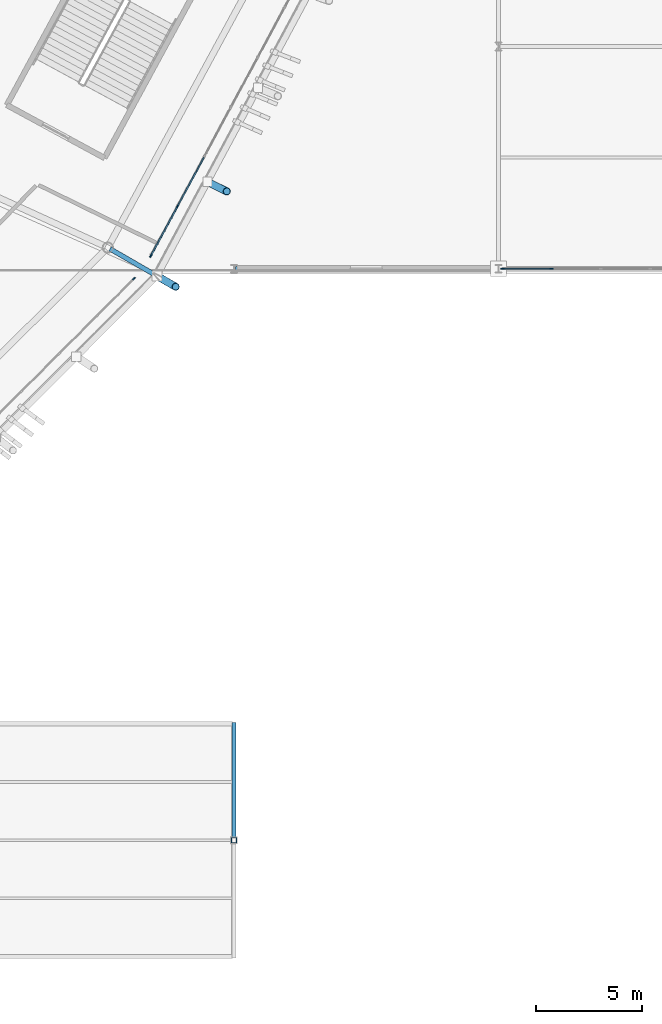
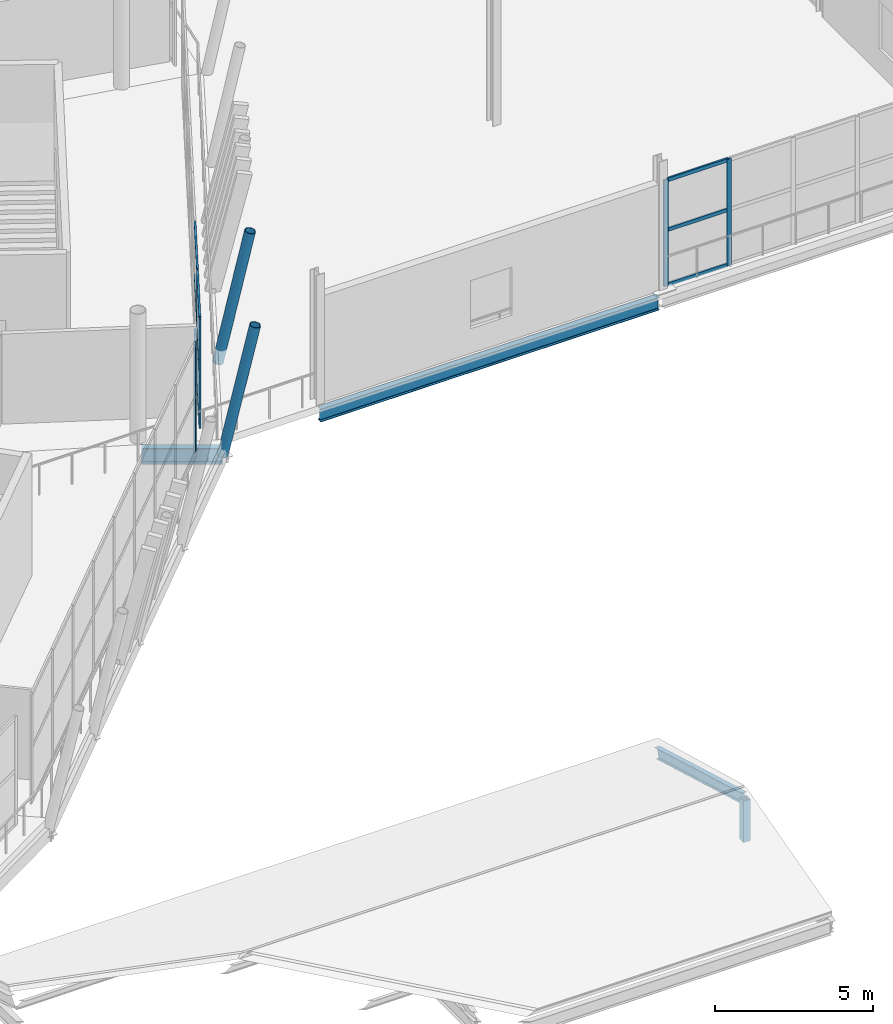
# One storey, part 59 of 179: 18 members, 2 beams, 3 elements without a shape of their own.
"""IFC4 building model written with IfcOpenShell, lengths in metres."""

from ifc_helpers import new_model, si_unit, direction, frame, origin, origin_2d, place, context, subcontext, project, spatial, rectangle, hollow_rectangle, hollow_circle, i_section, extrude, material, material_profile, profile_set, type_object, element, aggregate, save


model = new_model("IFC4")

# Units and contexts
model_context = context("Model", 3, precision=1e-05, world=origin(), true_north=direction((0.0, 1.0)))
body_context = subcontext(model_context, "Body", "Model", "MODEL_VIEW")
ifc_project = project(units=[si_unit("LENGTHUNIT", "METRE"), si_unit("AREAUNIT", "SQUARE_METRE"), si_unit("VOLUMEUNIT", "CUBIC_METRE"), si_unit("PLANEANGLEUNIT", "RADIAN"), si_unit("MASSUNIT", "GRAM", prefix="KILO")], contexts=[model_context])

# Site, building, storey
site_placement = place(None, origin())
site = spatial("IfcSite", under=ifc_project, at=site_placement, CompositionType="ELEMENT")
building_placement = place(site_placement, origin())
building = spatial("IfcBuilding", under=site, at=building_placement, Name="Zlatoyarsky Gate Stadium", CompositionType="ELEMENT")
storey_placement = place(building_placement, frame((0.0, 0.0, 10.60009765625)))
storey = spatial("IfcBuildingStorey", under=building, at=storey_placement, Name="L02", CompositionType="ELEMENT", Elevation=10.60009765625)

# Curtain wall, member
ifc_material_1 = material(Name="Thermally broken anodised aluminium curtain wall", Category="aluminium")
curtain_wall_type_1 = type_object("IfcCurtainWallType", Name="UNITISED HOSPITALITY GLAZING L02", PredefinedType="USERDEFINED", material=ifc_material_1)
curtain_wall_1_placement = place(storey_placement, origin())
curtain_wall_1 = element("IfcCurtainWall", 1, at=curtain_wall_1_placement, inside=storey, type_object=curtain_wall_type_1, Name="Curtain wall CW-L02-21", ObjectType="UNITISED GLAZING", PredefinedType="USERDEFINED")
ifc_material_2 = material(Name="Anodised aluminium 6063-T6", Category="aluminium")
ifc_material_profile_1 = material_profile(ifc_material_2, rectangle(XDim=0.06494140625, YDim=0.159912109375, at=origin_2d()), Name="ALU 65X160")
ifc_profile_set_1 = profile_set([ifc_material_profile_1], Name="Anodised aluminium 6063-T6")
member_type_1 = type_object("IfcMemberType", Name="ALUMINIUM MULLION 65X160", PredefinedType="MULLION", material=ifc_profile_set_1)
member_1_placement = place(storey_placement, frame((192.769287109375, 43.029052734375, 0.0), z_axis=(0.0, 0.0, 1.0), x_axis=(-0.707585188904, 0.706628049573, 0.0)))
member_1 = element("IfcMember", 2, at=member_1_placement, type_object=member_type_1, Name="CW-UG2 mullion 9", PredefinedType="MULLION", context=body_context, shape_type="SweptSolid", body=[
    extrude(rectangle(XDim=0.06494140625, YDim=0.159912109375, at=origin_2d()), origin(), (0.0, 0.0, 1.0), 4.199951171875),
])
aggregate(curtain_wall_1, [member_1])

# Curtain wall, members
curtain_wall_2_placement = place(storey_placement, origin())
curtain_wall_2 = element("IfcCurtainWall", 3, at=curtain_wall_2_placement, inside=storey, type_object=curtain_wall_type_1, Name="Curtain wall CW-L02-22", ObjectType="UNITISED GLAZING", PredefinedType="USERDEFINED")
member_2_placement = place(storey_placement, frame((193.575439453125, 44.11279296875, 0.0), z_axis=(0.0, 0.0, 1.0), x_axis=(-0.88023705837, 0.474534214859, 0.0)))
member_2 = element("IfcMember", 4, at=member_2_placement, type_object=member_type_1, Name="CW-UG2 mullion 1", PredefinedType="MULLION", context=body_context, shape_type="SweptSolid", body=[
    extrude(rectangle(XDim=0.06494140625, YDim=0.159912109375, at=origin_2d()), origin(), (0.0, 0.0, 1.0), 4.199951171875),
])
member_3_placement = place(storey_placement, frame((194.8271484375, 46.43505859375, 0.0), z_axis=(0.0, 0.0, 1.0), x_axis=(-0.88023705837, 0.474534214859, 0.0)))
member_3 = element("IfcMember", 5, at=member_3_placement, type_object=member_type_1, Name="CW-UG2 mullion 2", PredefinedType="MULLION", context=body_context, shape_type="SweptSolid", body=[
    extrude(rectangle(XDim=0.06494140625, YDim=0.159912109375, at=origin_2d()), origin(), (0.0, 0.0, 1.0), 4.199951171875),
])

curtain_wall_type_2 = type_object("IfcCurtainWallType", Name="WINTER GARDEN CONSERVATORY GLAZING", PredefinedType="USERDEFINED", material=ifc_material_1)
curtain_wall_3_placement = place(storey_placement, origin())
curtain_wall_3 = element("IfcCurtainWall", 6, at=curtain_wall_3_placement, inside=storey, type_object=curtain_wall_type_2, Name="Curtain wall CW-V5_EAST-L02-189", ObjectType="UNITISED GLAZING", PredefinedType="USERDEFINED")
member_4_placement = place(storey_placement, frame((210.194580078125, 43.5, 0.0), z_axis=(0.0, 0.0, 1.0), x_axis=(0.0, 1.0, 0.0)))
member_4 = element("IfcMember", 7, at=member_4_placement, type_object=member_type_1, Name="CW-WG1 mullion 1", PredefinedType="MULLION", context=body_context, shape_type="SweptSolid", body=[
    extrude(rectangle(XDim=0.06494140625, YDim=0.159912109375, at=origin_2d()), origin(), (0.0, 0.0, 1.0), 4.099853515625),
])
member_5_placement = place(storey_placement, frame((212.497314453125, 43.5, 0.0), z_axis=(0.0, 0.0, 1.0), x_axis=(0.0, 1.0, 0.0)))
member_5 = element("IfcMember", 8, at=member_5_placement, type_object=member_type_1, Name="CW-WG1 mullion 2", PredefinedType="MULLION", context=body_context, shape_type="SweptSolid", body=[
    extrude(rectangle(XDim=0.06494140625, YDim=0.159912109375, at=origin_2d()), origin(), (0.0, 0.0, 1.0), 4.099853515625),
])

# Member
ifc_material_profile_2 = material_profile(ifc_material_2, rectangle(XDim=0.06494140625, YDim=0.139892578125, at=origin_2d()), Name="ALU 65X140")
ifc_profile_set_2 = profile_set([ifc_material_profile_2], Name="Anodised aluminium 6063-T6")
member_type_2 = type_object("IfcMemberType", Name="ALUMINIUM TRANSOM 65X140", PredefinedType="USERDEFINED", material=ifc_profile_set_2)
member_6_placement = place(storey_placement, frame((193.5908203125, 44.141357421875, 0.032470703125), z_axis=(0.47447885106, 0.880266902647, 0.0), x_axis=(-0.880266902647, 0.47447885106, 0.0)))
member_6 = element("IfcMember", 9, at=member_6_placement, type_object=member_type_2, Name="CW-UG2 transom 1.1", ObjectType="TRANSOM", PredefinedType="USERDEFINED", context=body_context, shape_type="SweptSolid", body=[
    extrude(rectangle(XDim=0.06494140625, YDim=0.139892578125, at=origin_2d()), origin(), (0.0, 0.0, 1.0), 2.5732421875),
])

member_7_placement = place(storey_placement, frame((193.5908203125, 44.141357421875, 2.14990234375), z_axis=(0.47447885106, 0.880266902647, 0.0), x_axis=(-0.880266902647, 0.47447885106, 0.0)))
member_7 = element("IfcMember", 10, at=member_7_placement, type_object=member_type_2, Name="CW-UG2 transom 1.2", ObjectType="TRANSOM", PredefinedType="USERDEFINED", context=body_context, shape_type="SweptSolid", body=[
    extrude(rectangle(XDim=0.06494140625, YDim=0.139892578125, at=origin_2d()), origin(), (0.0, 0.0, 1.0), 2.5732421875),
])

member_8_placement = place(storey_placement, frame((193.5908203125, 44.141357421875, 4.16748046875), z_axis=(0.47447885106, 0.880266902647, 0.0), x_axis=(-0.880266902647, 0.47447885106, 0.0)))
member_8 = element("IfcMember", 11, at=member_8_placement, type_object=member_type_2, Name="CW-UG2 transom 1.3", ObjectType="TRANSOM", PredefinedType="USERDEFINED", context=body_context, shape_type="SweptSolid", body=[
    extrude(rectangle(XDim=0.06494140625, YDim=0.139892578125, at=origin_2d()), origin(), (0.0, 0.0, 1.0), 2.5732421875),
])

member_9_placement = place(storey_placement, frame((194.8427734375, 46.463623046875, 0.032470703125), z_axis=(0.474474132482, 0.880269446025, 0.0), x_axis=(-0.880269446025, 0.474474132482, 0.0)))
member_9 = element("IfcMember", 12, at=member_9_placement, type_object=member_type_2, Name="CW-UG2 transom 2.1", ObjectType="TRANSOM", PredefinedType="USERDEFINED", context=body_context, shape_type="SweptSolid", body=[
    extrude(rectangle(XDim=0.06494140625, YDim=0.139892578125, at=origin_2d()), origin(), (0.0, 0.0, 1.0), 2.605712890625),
])

member_10_placement = place(storey_placement, frame((194.8427734375, 46.463623046875, 2.14990234375), z_axis=(0.474474132482, 0.880269446025, 0.0), x_axis=(-0.880269446025, 0.474474132482, 0.0)))
member_10 = element("IfcMember", 13, at=member_10_placement, type_object=member_type_2, Name="CW-UG2 transom 2.2", ObjectType="TRANSOM", PredefinedType="USERDEFINED", context=body_context, shape_type="SweptSolid", body=[
    extrude(rectangle(XDim=0.06494140625, YDim=0.139892578125, at=origin_2d()), origin(), (0.0, 0.0, 1.0), 2.605712890625),
])

member_11_placement = place(storey_placement, frame((194.8427734375, 46.463623046875, 4.16748046875), z_axis=(0.474474132482, 0.880269446025, 0.0), x_axis=(-0.880269446025, 0.474474132482, 0.0)))
member_11 = element("IfcMember", 14, at=member_11_placement, type_object=member_type_2, Name="CW-UG2 transom 2.3", ObjectType="TRANSOM", PredefinedType="USERDEFINED", context=body_context, shape_type="SweptSolid", body=[
    extrude(rectangle(XDim=0.06494140625, YDim=0.139892578125, at=origin_2d()), origin(), (0.0, 0.0, 1.0), 2.605712890625),
])

aggregate(curtain_wall_2, [member_2, member_3, member_6, member_7, member_8, member_9, member_10, member_11])

member_12_placement = place(storey_placement, frame((210.22705078125, 43.5, 0.032470703125), z_axis=(1.0, 0.0, 0.0), x_axis=(0.0, 1.0, 0.0)))
member_12 = element("IfcMember", 15, at=member_12_placement, type_object=member_type_2, Name="CW-WG1 transom 1.1", ObjectType="TRANSOM", PredefinedType="USERDEFINED", context=body_context, shape_type="SweptSolid", body=[
    extrude(rectangle(XDim=0.06494140625, YDim=0.139892578125, at=origin_2d()), origin(), (0.0, 0.0, 1.0), 2.237548828125),
])

member_13_placement = place(storey_placement, frame((210.22705078125, 43.5, 2.14990234375), z_axis=(1.0, 0.0, 0.0), x_axis=(0.0, 1.0, 0.0)))
member_13 = element("IfcMember", 16, at=member_13_placement, type_object=member_type_2, Name="CW-WG1 transom 1.2", ObjectType="TRANSOM", PredefinedType="USERDEFINED", context=body_context, shape_type="SweptSolid", body=[
    extrude(rectangle(XDim=0.06494140625, YDim=0.139892578125, at=origin_2d()), origin(), (0.0, 0.0, 1.0), 2.237548828125),
])

member_14_placement = place(storey_placement, frame((210.22705078125, 43.5, 4.0673828125), z_axis=(1.0, 0.0, 0.0), x_axis=(0.0, 1.0, 0.0)))
member_14 = element("IfcMember", 17, at=member_14_placement, type_object=member_type_2, Name="CW-WG1 transom 1.3", ObjectType="TRANSOM", PredefinedType="USERDEFINED", context=body_context, shape_type="SweptSolid", body=[
    extrude(rectangle(XDim=0.06494140625, YDim=0.139892578125, at=origin_2d()), origin(), (0.0, 0.0, 1.0), 2.237548828125),
])

aggregate(curtain_wall_3, [member_4, member_5, member_12, member_13, member_14])

# Beams
ifc_material_3 = material(Name="Steel S355", Category="steel")
ifc_material_profile_3 = material_profile(ifc_material_3, i_section(OverallWidth=0.219970703125, OverallDepth=0.60009765625, WebThickness=0.011962890625, FlangeThickness=0.01904296875, FilletRadius=0.02392578125, at=origin_2d()), Name="IPE 600")
ifc_profile_set_3 = profile_set([ifc_material_profile_3], Name="Steel S355")
beam_type_1 = type_object("IfcBeamType", Name="STEEL CANTILEVER FLOOR BEAM IPE 600", PredefinedType="BEAM", material=ifc_profile_set_3)
beam_1_placement = place(storey_placement, frame((191.644287109375, 44.43994140625, -0.580078125), z_axis=(0.866059933153, -0.49994018861, 0.0), x_axis=(0.49994018861, 0.866059933153, 0.0)))
element("IfcBeam", 18, at=beam_1_placement, inside=storey, type_object=beam_type_1, Name="Beam B-IPE600 BM-L02-OUT-22", PredefinedType="BEAM", context=body_context, shape_type="SweptSolid", body=[
    extrude(i_section(OverallWidth=0.219970703125, OverallDepth=0.60009765625, WebThickness=0.011962890625, FlangeThickness=0.01904296875, FilletRadius=0.02392578125, at=origin_2d()), origin(), (0.0, 0.0, 1.0), 2.555908203125),
])
ifc_material_profile_4 = material_profile(ifc_material_3, i_section(OverallWidth=0.199951171875, OverallDepth=0.5, WebThickness=0.01025390625, FlangeThickness=0.01611328125, FilletRadius=0.02099609375, at=origin_2d()), Name="IPE 500")
ifc_profile_set_4 = profile_set([ifc_material_profile_4], Name="Steel S355")
beam_type_2 = type_object("IfcBeamType", Name="STEEL FLOOR BEAM IPE 500", PredefinedType="BEAM", material=ifc_profile_set_4)
beam_2_placement = place(storey_placement, frame((197.580078125, 43.5, -0.530029296875), z_axis=(1.0, 0.0, 0.0), x_axis=(0.0, 1.0, 0.0)))
element("IfcBeam", 19, at=beam_2_placement, inside=storey, type_object=beam_type_2, Name="Beam B-IPE500 BM-L02-WGX-17-E", PredefinedType="BEAM", context=body_context, shape_type="SweptSolid", body=[
    extrude(i_section(OverallWidth=0.199951171875, OverallDepth=0.5, WebThickness=0.01025390625, FlangeThickness=0.01611328125, FilletRadius=0.02099609375, at=origin_2d()), origin(), (0.0, 0.0, 1.0), 12.33984375),
])

# Members
ifc_material_profile_5 = material_profile(ifc_material_3, hollow_circle(Radius=0.177734375, WallThickness=0.02001953125, at=origin_2d()), Name="CHS 355.6X20")
ifc_profile_set_5 = profile_set([ifc_material_profile_5], Name="Steel S355")
member_type_3 = type_object("IfcMemberType", Name="STEEL LEANING RIB RING STRUT CHS 355.6X20", PredefinedType="STRUT", material=ifc_profile_set_5)
member_15_placement = place(storey_placement, frame((193.85791015625, 43.162109375, -0.580078125), z_axis=(0.174105212387, -0.100540977043, 0.97958097519), x_axis=(0.500079402778, 0.865979555715, 0.0)))
element("IfcMember", 20, at=member_15_placement, inside=storey, type_object=member_type_3, Name="Leaning ring strut 22 L02 to L03", PredefinedType="STRUT", context=body_context, shape_type="SweptSolid", body=[
    extrude(hollow_circle(Radius=0.177734375, WallThickness=0.02001953125, at=origin_2d()), origin(), (0.0, 0.0, 1.0), 5.104248046875),
])
member_16_placement = place(storey_placement, frame((196.247314453125, 47.604248046875, -0.530029296875), z_axis=(0.179174189168, -0.088414926991, 0.979836420338), x_axis=(0.442514107183, 0.896761542966, 0.0)))
element("IfcMember", 21, at=member_16_placement, inside=storey, type_object=member_type_3, Name="Outward-leaning bowl louvre fin rib L02 22-1", PredefinedType="STRUT", context=body_context, shape_type="SweptSolid", body=[
    extrude(hollow_circle(Radius=0.177734375, WallThickness=0.02001953125, at=origin_2d()), origin(), (0.0, 0.0, 1.0), 5.102783203125),
])
ifc_material_profile_6 = material_profile(ifc_material_3, i_section(OverallWidth=0.179931640625, OverallDepth=0.39990234375, WebThickness=0.008544921875, FlangeThickness=0.013427734375, FilletRadius=0.02099609375, at=origin_2d()), Name="IPE 400")
ifc_profile_set_6 = profile_set([ifc_material_profile_6], Name="Steel S355")
member_type_4 = type_object("IfcMemberType", Name="STEEL PAVILION ROOF RAFTER IPE 400", PredefinedType="RAFTER", material=ifc_profile_set_6)
member_17_placement = place(storey_placement, frame((197.5, 22.0, -0.5), z_axis=(0.0, -0.961598006641, 0.274461789005), x_axis=(1.0, 0.0, 0.0)))
element("IfcMember", 22, at=member_17_placement, inside=storey, type_object=member_type_4, Name="V6_SE roof rafter 3B", PredefinedType="RAFTER", context=body_context, shape_type="SweptSolid", body=[
    extrude(i_section(OverallWidth=0.179931640625, OverallDepth=0.39990234375, WebThickness=0.008544921875, FlangeThickness=0.013427734375, FilletRadius=0.02099609375, at=origin_2d()), origin(), (0.0, 0.0, 1.0), 5.7197265625),
])
ifc_material_profile_7 = material_profile(ifc_material_3, hollow_rectangle(XDim=0.25, YDim=0.25, WallThickness=0.01611328125, at=origin_2d()), Name="SHS 250X250X16")
ifc_profile_set_7 = profile_set([ifc_material_profile_7], Name="Steel S355")
member_type_5 = type_object("IfcMemberType", Name="STEEL PAVILION TRUSS STRUT SHS 250X250X16", PredefinedType="STRUT", material=ifc_profile_set_7)
member_18_placement = place(storey_placement, frame((197.5, 16.5, -0.530029296875), z_axis=(0.0, 0.0, 1.0), x_axis=(1.0, 0.0, 0.0)))
element("IfcMember", 23, at=member_18_placement, inside=storey, type_object=member_type_5, Name="V6_SE king post strut 3", PredefinedType="STRUT", context=body_context, shape_type="SweptSolid", body=[
    extrude(hollow_rectangle(XDim=0.25, YDim=0.25, WallThickness=0.01611328125, at=origin_2d()), origin(), (0.0, 0.0, 1.0), 1.599853515625),
])

save(model, "model.ifc")
